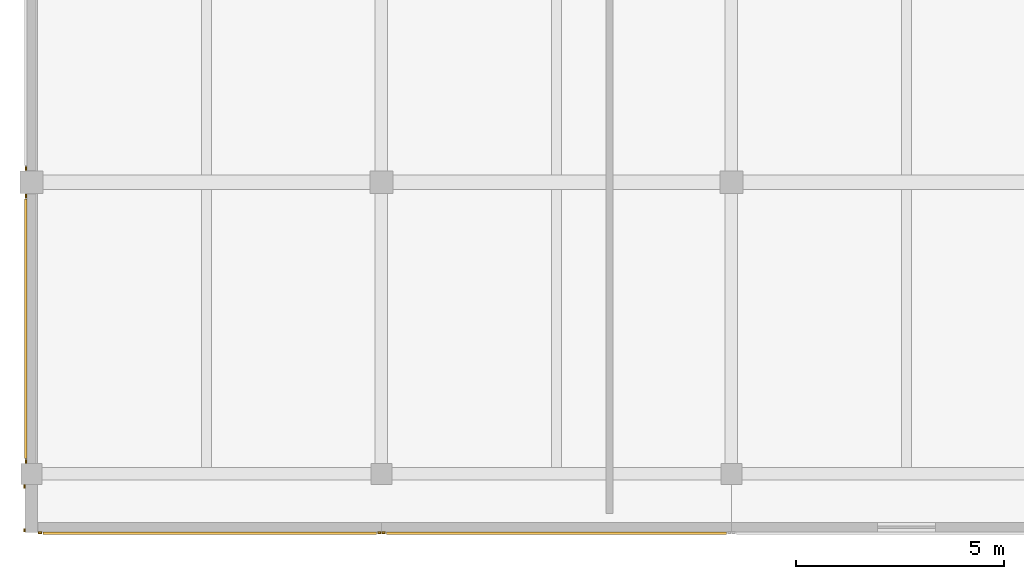
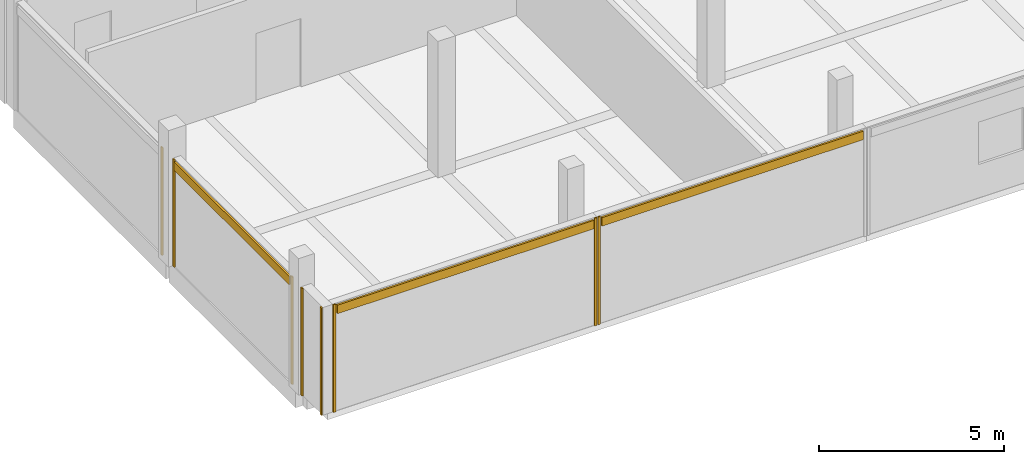
# One storey, part 5 of 11: 11 coverings.
"""IFC4 building model written with IfcOpenShell, lengths in metres."""

from ifc_helpers import new_model, si_unit, direction, frame, origin, origin_2d, place, context, subcontext, project, spatial, rectangle, extrude, material, layer, layer_set, type_object, element, save


model = new_model("IFC4")

# Units and contexts
model_context = context("Model", 3, precision=1e-05, world=origin(), true_north=direction((0.0, 1.0)))
body_context = subcontext(model_context, "Body", "Model", "MODEL_VIEW")
ifc_project = project(units=[si_unit("LENGTHUNIT", "METRE"), si_unit("AREAUNIT", "SQUARE_METRE"), si_unit("VOLUMEUNIT", "CUBIC_METRE"), si_unit("PLANEANGLEUNIT", "RADIAN"), si_unit("MASSUNIT", "GRAM", prefix="KILO")], contexts=[model_context])

# Site, building, storey
site_placement = place(None, origin())
site = spatial("IfcSite", under=ifc_project, at=site_placement, CompositionType="ELEMENT")
building_placement = place(site_placement, origin())
building = spatial("IfcBuilding", under=site, at=building_placement, Name="Telukmera Botanical Conservatory", CompositionType="ELEMENT")
storey_placement = place(building_placement, frame((0.0, 0.0, 73.5)))
storey = spatial("IfcBuildingStorey", under=building, at=storey_placement, Name="L16", CompositionType="ELEMENT", Elevation=73.5)

# Coverings
ifc_material_1 = material(Name="Granite-faced precast concrete C40/50", Category="masonry")
ifc_layer_1 = layer(ifc_material_1, 0.0400390625)
ifc_layer_set_1 = layer_set([ifc_layer_1], Name="Granite-faced precast concrete C40/50")
covering_type_1 = type_object("IfcCoveringType", Name="Granite Precast Column Pier Reveal Casing", PredefinedType="CLADDING", material=ifc_layer_set_1)
for number, where, z_axis, x_axis, name in (
    (1, (58.6298828125, 9.25, 0.0), (0.0, 0.0, 1.0), (0.0, 1.0, 0.0), "Granite Pier Reveal V4:L16:SWC L"),
    (2, (58.6298828125, 10.298095703125, 0.0), (0.0, 0.0, 1.0), (0.0, 1.0, 0.0), "Granite Pier Reveal V4:L16:SWC R"),
    (3, (59.001953125, 9.18994140625, 0.0), (0.0, 0.0, 1.0), (1.0, 0.0, 0.0), "Granite Pier Reveal V4:L16:S1 L"),
    (4, (67.14794921875, 9.18994140625, 0.0), (0.0, 0.0, 1.0), (1.0, 0.0, 0.0), "Granite Pier Reveal V4:L16:S1 R"),
    (5, (67.251953125, 9.18994140625, 0.0), (0.0, 0.0, 1.0), (1.0, 0.0, 0.0), "Granite Pier Reveal V4:L16:S2 L"),
    (6, (58.669921875, 10.902099609375, 0.0), (0.0, 0.0, 1.0), (0.0, 1.0, 0.0), "Granite Pier Reveal V4:L16:W1 L"),
    (7, (58.669921875, 17.27294921875, 0.0), (0.0, 0.0, 1.0), (0.0, 1.0, 0.0), "Granite Pier Reveal V4:L16:W1 R"),
    (8, (58.669921875, 17.927001953125, 0.0), (0.0, 0.0, 1.0), (0.0, 1.0, 0.0), "Granite Pier Reveal V4:L16:W2 L"),
):
    element("IfcCovering", number, at=place(storey_placement, frame(where, z_axis=z_axis, x_axis=x_axis)), inside=storey, type_object=covering_type_1, Name=name, PredefinedType="CLADDING", context=body_context, shape_type="SweptSolid", body=[
        extrude(rectangle(XDim=0.080078125, YDim=0.0400390625, at=origin_2d()), origin(), (0.0, 0.0, 1.0), 3.550048828125),
    ])
ifc_material_2 = material(Name="Terracotta-faced precast concrete C40/50", Category="masonry")
ifc_layer_2 = layer(ifc_material_2, 0.06005859375)
ifc_layer_set_2 = layer_set([ifc_layer_2], Name="Terracotta-faced precast concrete C40/50")
covering_type_2 = type_object("IfcCoveringType", Name="Polychrome Terracotta Facade Band Cladding", PredefinedType="CLADDING", material=ifc_layer_set_2)
covering_1_placement = place(storey_placement, frame((63.074951171875, 9.179931640625, 3.22998046875), z_axis=(0.0, 0.0, 1.0), x_axis=(1.0, 0.0, 0.0)))
element("IfcCovering", 9, at=covering_1_placement, inside=storey, type_object=covering_type_2, Name="Polychrome Terracotta Band V4:L16:S1", PredefinedType="CLADDING", context=body_context, shape_type="SweptSolid", body=[
    extrude(rectangle(XDim=8.006103515625, YDim=0.06005859375, at=origin_2d()), origin(), (0.0, 0.0, 1.0), 0.280029296875),
])
covering_2_placement = place(storey_placement, frame((71.39990234375, 9.179931640625, 3.22998046875), z_axis=(0.0, 0.0, 1.0), x_axis=(1.0, 0.0, 0.0)))
element("IfcCovering", 10, at=covering_2_placement, inside=storey, type_object=covering_type_2, Name="Polychrome Terracotta Band V4:L16:S2", PredefinedType="CLADDING", context=body_context, shape_type="SweptSolid", body=[
    extrude(rectangle(XDim=8.156005859375, YDim=0.06005859375, at=origin_2d()), origin(), (0.0, 0.0, 1.0), 0.280029296875),
])
covering_3_placement = place(storey_placement, frame((58.659912109375, 14.08740234375, 3.22998046875), z_axis=(0.0, 0.0, 1.0), x_axis=(0.0, 1.0, 0.0)))
element("IfcCovering", 11, at=covering_3_placement, inside=storey, type_object=covering_type_2, Name="Polychrome Terracotta Band V4:L16:W1", PredefinedType="CLADDING", context=body_context, shape_type="SweptSolid", body=[
    extrude(rectangle(XDim=6.23095703125, YDim=0.06005859375, at=origin_2d()), origin(), (0.0, 0.0, 1.0), 0.280029296875),
])

save(model, "model.ifc")
